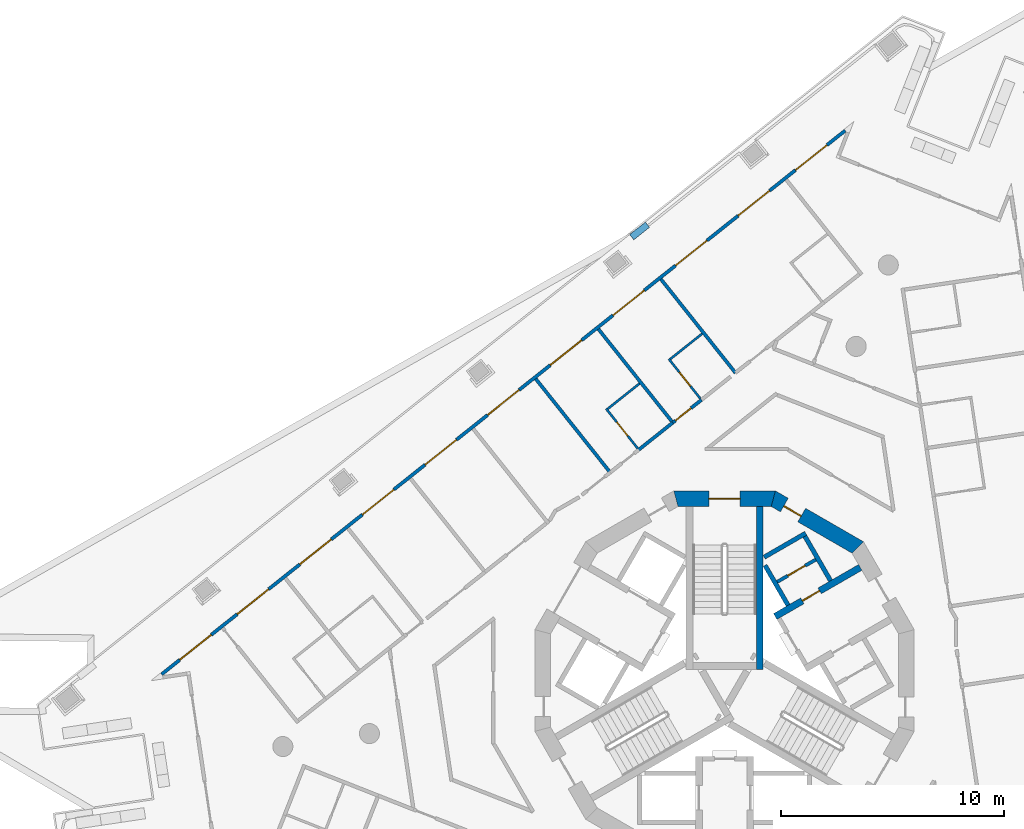
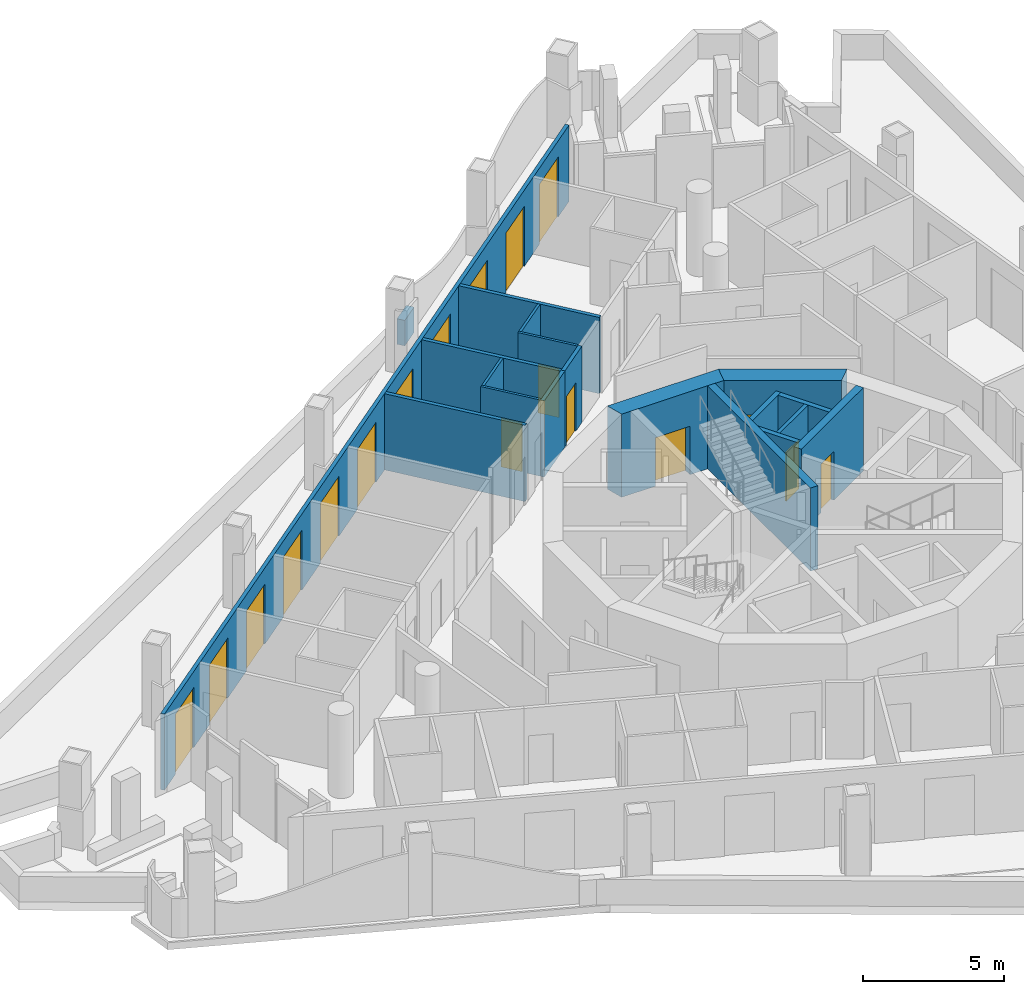
# One storey, part 7 of 16: 19 walls, 18 doors, 18 openings.
"""IFC4 building model written with IfcOpenShell, lengths in metres."""

from ifc_helpers import new_model, si_unit, direction, frame, frame_2d, origin, place, context, subcontext, project, spatial, polyline, rectangle, outline, extrude, material, layer, layer_set, type_object, element, fill, save


model = new_model("IFC4")

# Units and contexts
model_context = context("Model", 3, precision=1e-05, world=origin(), true_north=direction((0.0, 1.0)))
body_context = subcontext(model_context, "Body", "Model", "MODEL_VIEW")
ifc_project = project(units=[si_unit("LENGTHUNIT", "METRE"), si_unit("AREAUNIT", "SQUARE_METRE"), si_unit("VOLUMEUNIT", "CUBIC_METRE"), si_unit("PLANEANGLEUNIT", "RADIAN"), si_unit("MASSUNIT", "GRAM", prefix="KILO")], contexts=[model_context])

# Site, building, storey
site_placement = place(None, origin())
site = spatial("IfcSite", under=ifc_project, at=site_placement, CompositionType="ELEMENT")
building_placement = place(site_placement, origin())
building = spatial("IfcBuilding", under=site, at=building_placement, Name="Trine Commons Tower", CompositionType="ELEMENT")
storey_placement = place(building_placement, frame((0.0, 0.0, 198.0)))
storey = spatial("IfcBuildingStorey", under=building, at=storey_placement, Name="L51", CompositionType="ELEMENT", Elevation=198.0)

# Wall, opening, door
ifc_material_1 = material(Name="Plasterboard partition on steel studs", Category="steel")
ifc_layer_1 = layer(ifc_material_1, 0.14990234375)
ifc_layer_set_1 = layer_set([ifc_layer_1], Name="Plasterboard partition on steel studs")
wall_type_1 = type_object("IfcWallType", Name="Core room partition 150 mm, EI 60", PredefinedType="PARTITIONING", material=ifc_layer_set_1)
wall_1_placement = place(storey_placement, frame((82.35498046875, 66.919921875, 0.0), z_axis=(0.0, 0.0, 1.0), x_axis=(0.866010750942, 0.50002537861, 0.0)))
wall_1 = element("IfcWall", 1, at=wall_1_placement, inside=storey, type_object=wall_type_1, Name="Core room partition L51", PredefinedType="PARTITIONING", context=body_context, shape_type="SweptSolid", body=[
    extrude(rectangle(XDim=2.0, YDim=0.14990234375, at=frame_2d((1.0, 0.0))), origin(), (0.0, 0.0, 1.0), 3.300048828125),
])
opening_1_placement = place(wall_1_placement, frame((0.550537109375, 0.0, 0.0)))
opening_1 = element("IfcOpeningElement", 2, at=opening_1_placement, cuts=wall_1, Name="Opening K15.11", PredefinedType="OPENING", context=body_context, shape_type="SweptSolid", body=[
    extrude(rectangle(XDim=0.89990234375, YDim=2.10009765625, at=frame_2d((0.449951171875, 1.050048828125))), frame((0.0, 0.0849609375, 0.0), z_axis=(0.0, -1.0, 0.0), x_axis=(1.0, 0.0, 0.0)), (0.0, 0.0, 1.0), 0.169921875),
])
ifc_material_2 = material(Name="Steel door leaf, fire-rated", Category="steel")
door_type_1 = type_object("IfcDoorType", Name="Core room door, single leaf 900 x 2100, FD30S", OperationType="SINGLE_SWING_LEFT", PredefinedType="DOOR", material=ifc_material_2)
door_1_placement = place(opening_1_placement, origin())
door_1 = element("IfcDoor", 3, at=door_1_placement, inside=storey, type_object=door_type_1, Name="Door to Pantry L51", OperationType="SINGLE_SWING_RIGHT", OverallHeight=2.10009765625, OverallWidth=0.89990234375, PredefinedType="DOOR", context=body_context, shape_type="SweptSolid", body=[
    extrude(rectangle(XDim=0.89990234375, YDim=2.10009765625, at=frame_2d((0.449951171875, 1.050048828125))), frame((0.0, 0.02490234375, 0.0), z_axis=(0.0, -1.0, 0.0), x_axis=(1.0, 0.0, 0.0)), (0.0, 0.0, 1.0), 0.050048828125),
])
fill(opening_1, door_1)

# Wall, openings, doors
ifc_material_3 = material(Name="Aluminium-framed insulated wall panel", Category="aluminium")
ifc_layer_2 = layer(ifc_material_3, 0.14990234375)
ifc_layer_set_2 = layer_set([ifc_layer_2], Name="Aluminium-framed insulated wall panel")
wall_type_2 = type_object("IfcWallType", Name="Glazed frame wall 150, EI 60", PredefinedType="SOLIDWALL", material=ifc_layer_set_2)
wall_2_placement = place(storey_placement, frame((54.650634765625, 62.685546875, 0.0), z_axis=(0.0, 0.0, 1.0), x_axis=(0.782609620341, 0.622512796776, 0.0)))
wall_2 = element("IfcWall", 4, at=wall_2_placement, inside=storey, type_object=wall_type_2, Name="Glazed frame wall F1", PredefinedType="SOLIDWALL", context=body_context, shape_type="SweptSolid", body=[
    extrude(outline(polyline([(0.1494140625, 0.074951171875), (0.1494140625, -0.074951171875), (39.296875, -0.074951171875), (39.296875, 0.074951171875), (0.1494140625, 0.074951171875)])), origin(), (0.0, 0.0, 1.0), 3.300048828125),
])
opening_2_placement = place(wall_2_placement, frame((1.193115234375, 0.0, 0.0)))
opening_2 = element("IfcOpeningElement", 5, at=opening_2_placement, cuts=wall_2, Name="Opening BD-6F1-01", PredefinedType="OPENING", context=body_context, shape_type="SweptSolid", body=[
    extrude(rectangle(XDim=1.800048828125, YDim=2.60009765625, at=frame_2d((0.89990234375, 1.300048828125))), frame((0.0, 0.0849609375, 0.0), z_axis=(0.0, -1.0, 0.0), x_axis=(1.0, 0.0, 0.0)), (0.0, 0.0, 1.0), 0.169921875),
])
opening_3_placement = place(wall_2_placement, frame((4.47900390625, 0.0, 0.0)))
opening_3 = element("IfcOpeningElement", 6, at=opening_3_placement, cuts=wall_2, Name="Opening BD-6F1-02", PredefinedType="OPENING", context=body_context, shape_type="SweptSolid", body=[
    extrude(rectangle(XDim=1.800048828125, YDim=2.60009765625, at=frame_2d((0.89990234375, 1.300048828125))), frame((0.0, 0.0849609375, 0.0), z_axis=(0.0, -1.0, 0.0), x_axis=(1.0, 0.0, 0.0)), (0.0, 0.0, 1.0), 0.169921875),
])
opening_4_placement = place(wall_2_placement, frame((8.06494140625, 0.0, 0.0)))
opening_4 = element("IfcOpeningElement", 7, at=opening_4_placement, cuts=wall_2, Name="Opening BD-6F1-03", PredefinedType="OPENING", context=body_context, shape_type="SweptSolid", body=[
    extrude(rectangle(XDim=1.800048828125, YDim=2.60009765625, at=frame_2d((0.89990234375, 1.300048828125))), frame((0.0, 0.0849609375, 0.0), z_axis=(0.0, -1.0, 0.0), x_axis=(1.0, 0.0, 0.0)), (0.0, 0.0, 1.0), 0.169921875),
])
opening_5_placement = place(wall_2_placement, frame((11.65087890625, 0.0, 0.0)))
opening_5 = element("IfcOpeningElement", 8, at=opening_5_placement, cuts=wall_2, Name="Opening BD-6F1-04", PredefinedType="OPENING", context=body_context, shape_type="SweptSolid", body=[
    extrude(rectangle(XDim=1.800048828125, YDim=2.60009765625, at=frame_2d((0.89990234375, 1.300048828125))), frame((0.0, 0.0849609375, 0.0), z_axis=(0.0, -1.0, 0.0), x_axis=(1.0, 0.0, 0.0)), (0.0, 0.0, 1.0), 0.169921875),
])
opening_6_placement = place(wall_2_placement, frame((15.237060546875, 0.0, 0.0)))
opening_6 = element("IfcOpeningElement", 9, at=opening_6_placement, cuts=wall_2, Name="Opening BD-6F1-05", PredefinedType="OPENING", context=body_context, shape_type="SweptSolid", body=[
    extrude(rectangle(XDim=1.800048828125, YDim=2.60009765625, at=frame_2d((0.89990234375, 1.300048828125))), frame((0.0, 0.0849609375, 0.0), z_axis=(0.0, -1.0, 0.0), x_axis=(1.0, 0.0, 0.0)), (0.0, 0.0, 1.0), 0.169921875),
])
opening_7_placement = place(wall_2_placement, frame((18.822998046875, 0.0, 0.0)))
opening_7 = element("IfcOpeningElement", 10, at=opening_7_placement, cuts=wall_2, Name="Opening BD-6F1-06", PredefinedType="OPENING", context=body_context, shape_type="SweptSolid", body=[
    extrude(rectangle(XDim=1.800048828125, YDim=2.60009765625, at=frame_2d((0.89990234375, 1.300048828125))), frame((0.0, 0.0849609375, 0.0), z_axis=(0.0, -1.0, 0.0), x_axis=(1.0, 0.0, 0.0)), (0.0, 0.0, 1.0), 0.169921875),
])
opening_8_placement = place(wall_2_placement, frame((22.408935546875, 0.0, 0.0)))
opening_8 = element("IfcOpeningElement", 11, at=opening_8_placement, cuts=wall_2, Name="Opening BD-6F1-07", PredefinedType="OPENING", context=body_context, shape_type="SweptSolid", body=[
    extrude(rectangle(XDim=1.800048828125, YDim=2.60009765625, at=frame_2d((0.89990234375, 1.300048828125))), frame((0.0, 0.0849609375, 0.0), z_axis=(0.0, -1.0, 0.0), x_axis=(1.0, 0.0, 0.0)), (0.0, 0.0, 1.0), 0.169921875),
])
opening_9_placement = place(wall_2_placement, frame((25.9951171875, 0.0, 0.0)))
opening_9 = element("IfcOpeningElement", 12, at=opening_9_placement, cuts=wall_2, Name="Opening BD-6F1-08", PredefinedType="OPENING", context=body_context, shape_type="SweptSolid", body=[
    extrude(rectangle(XDim=1.800048828125, YDim=2.60009765625, at=frame_2d((0.89990234375, 1.300048828125))), frame((0.0, 0.0849609375, 0.0), z_axis=(0.0, -1.0, 0.0), x_axis=(1.0, 0.0, 0.0)), (0.0, 0.0, 1.0), 0.169921875),
])
opening_10_placement = place(wall_2_placement, frame((29.5810546875, 0.0, 0.0)))
opening_10 = element("IfcOpeningElement", 13, at=opening_10_placement, cuts=wall_2, Name="Opening BD-6F1-09", PredefinedType="OPENING", context=body_context, shape_type="SweptSolid", body=[
    extrude(rectangle(XDim=1.800048828125, YDim=2.60009765625, at=frame_2d((0.89990234375, 1.300048828125))), frame((0.0, 0.0849609375, 0.0), z_axis=(0.0, -1.0, 0.0), x_axis=(1.0, 0.0, 0.0)), (0.0, 0.0, 1.0), 0.169921875),
])
opening_11_placement = place(wall_2_placement, frame((33.1669921875, 0.0, 0.0)))
opening_11 = element("IfcOpeningElement", 14, at=opening_11_placement, cuts=wall_2, Name="Opening BD-6F1-10", PredefinedType="OPENING", context=body_context, shape_type="SweptSolid", body=[
    extrude(rectangle(XDim=1.800048828125, YDim=2.60009765625, at=frame_2d((0.89990234375, 1.300048828125))), frame((0.0, 0.0849609375, 0.0), z_axis=(0.0, -1.0, 0.0), x_axis=(1.0, 0.0, 0.0)), (0.0, 0.0, 1.0), 0.169921875),
])
opening_12_placement = place(wall_2_placement, frame((36.452880859375, 0.0, 0.0)))
opening_12 = element("IfcOpeningElement", 15, at=opening_12_placement, cuts=wall_2, Name="Opening BD-6F1-11", PredefinedType="OPENING", context=body_context, shape_type="SweptSolid", body=[
    extrude(rectangle(XDim=1.800048828125, YDim=2.60009765625, at=frame_2d((0.89990234375, 1.300048828125))), frame((0.0, 0.0849609375, 0.0), z_axis=(0.0, -1.0, 0.0), x_axis=(1.0, 0.0, 0.0)), (0.0, 0.0, 1.0), 0.169921875),
])
ifc_material_4 = material(Name="Anodised aluminium frame with double glazing", Category="aluminium")
door_type_2 = type_object("IfcDoorType", Name="Sliding loggia door 1800x2600", OperationType="SLIDING_TO_LEFT", PredefinedType="DOOR", material=ifc_material_4)
door_2_placement = place(opening_2_placement, origin())
door_2 = element("IfcDoor", 16, at=door_2_placement, inside=storey, type_object=door_type_2, Name="Loggia door F1 1", OperationType="SLIDING_TO_LEFT", OverallHeight=2.60009765625, OverallWidth=1.800048828125, PredefinedType="DOOR", context=body_context, shape_type="SweptSolid", body=[
    extrude(rectangle(XDim=1.800048828125, YDim=2.60009765625, at=frame_2d((0.89990234375, 1.300048828125))), frame((0.0, 0.02490234375, 0.0), z_axis=(0.0, -1.0, 0.0), x_axis=(1.0, 0.0, 0.0)), (0.0, 0.0, 1.0), 0.050048828125),
])
fill(opening_2, door_2)
door_3_placement = place(opening_3_placement, origin())
door_3 = element("IfcDoor", 17, at=door_3_placement, inside=storey, type_object=door_type_2, Name="Loggia door F1 2", OperationType="SLIDING_TO_LEFT", OverallHeight=2.60009765625, OverallWidth=1.800048828125, PredefinedType="DOOR", context=body_context, shape_type="SweptSolid", body=[
    extrude(rectangle(XDim=1.800048828125, YDim=2.60009765625, at=frame_2d((0.89990234375, 1.300048828125))), frame((0.0, 0.02490234375, 0.0), z_axis=(0.0, -1.0, 0.0), x_axis=(1.0, 0.0, 0.0)), (0.0, 0.0, 1.0), 0.050048828125),
])
fill(opening_3, door_3)
door_4_placement = place(opening_4_placement, origin())
door_4 = element("IfcDoor", 18, at=door_4_placement, inside=storey, type_object=door_type_2, Name="Loggia door F1 3", OperationType="SLIDING_TO_LEFT", OverallHeight=2.60009765625, OverallWidth=1.800048828125, PredefinedType="DOOR", context=body_context, shape_type="SweptSolid", body=[
    extrude(rectangle(XDim=1.800048828125, YDim=2.60009765625, at=frame_2d((0.89990234375, 1.300048828125))), frame((0.0, 0.02490234375, 0.0), z_axis=(0.0, -1.0, 0.0), x_axis=(1.0, 0.0, 0.0)), (0.0, 0.0, 1.0), 0.050048828125),
])
fill(opening_4, door_4)
door_5_placement = place(opening_5_placement, origin())
door_5 = element("IfcDoor", 19, at=door_5_placement, inside=storey, type_object=door_type_2, Name="Loggia door F1 4", OperationType="SLIDING_TO_LEFT", OverallHeight=2.60009765625, OverallWidth=1.800048828125, PredefinedType="DOOR", context=body_context, shape_type="SweptSolid", body=[
    extrude(rectangle(XDim=1.800048828125, YDim=2.60009765625, at=frame_2d((0.89990234375, 1.300048828125))), frame((0.0, 0.02490234375, 0.0), z_axis=(0.0, -1.0, 0.0), x_axis=(1.0, 0.0, 0.0)), (0.0, 0.0, 1.0), 0.050048828125),
])
fill(opening_5, door_5)
door_6_placement = place(opening_6_placement, origin())
door_6 = element("IfcDoor", 20, at=door_6_placement, inside=storey, type_object=door_type_2, Name="Loggia door F1 5", OperationType="SLIDING_TO_LEFT", OverallHeight=2.60009765625, OverallWidth=1.800048828125, PredefinedType="DOOR", context=body_context, shape_type="SweptSolid", body=[
    extrude(rectangle(XDim=1.800048828125, YDim=2.60009765625, at=frame_2d((0.89990234375, 1.300048828125))), frame((0.0, 0.02490234375, 0.0), z_axis=(0.0, -1.0, 0.0), x_axis=(1.0, 0.0, 0.0)), (0.0, 0.0, 1.0), 0.050048828125),
])
fill(opening_6, door_6)
door_7_placement = place(opening_7_placement, origin())
door_7 = element("IfcDoor", 21, at=door_7_placement, inside=storey, type_object=door_type_2, Name="Loggia door F1 6", OperationType="SLIDING_TO_LEFT", OverallHeight=2.60009765625, OverallWidth=1.800048828125, PredefinedType="DOOR", context=body_context, shape_type="SweptSolid", body=[
    extrude(rectangle(XDim=1.800048828125, YDim=2.60009765625, at=frame_2d((0.89990234375, 1.300048828125))), frame((0.0, 0.02490234375, 0.0), z_axis=(0.0, -1.0, 0.0), x_axis=(1.0, 0.0, 0.0)), (0.0, 0.0, 1.0), 0.050048828125),
])
fill(opening_7, door_7)
door_8_placement = place(opening_8_placement, origin())
door_8 = element("IfcDoor", 22, at=door_8_placement, inside=storey, type_object=door_type_2, Name="Loggia door F1 7", OperationType="SLIDING_TO_LEFT", OverallHeight=2.60009765625, OverallWidth=1.800048828125, PredefinedType="DOOR", context=body_context, shape_type="SweptSolid", body=[
    extrude(rectangle(XDim=1.800048828125, YDim=2.60009765625, at=frame_2d((0.89990234375, 1.300048828125))), frame((0.0, 0.02490234375, 0.0), z_axis=(0.0, -1.0, 0.0), x_axis=(1.0, 0.0, 0.0)), (0.0, 0.0, 1.0), 0.050048828125),
])
fill(opening_8, door_8)
door_9_placement = place(opening_9_placement, origin())
door_9 = element("IfcDoor", 23, at=door_9_placement, inside=storey, type_object=door_type_2, Name="Loggia door F1 8", OperationType="SLIDING_TO_LEFT", OverallHeight=2.60009765625, OverallWidth=1.800048828125, PredefinedType="DOOR", context=body_context, shape_type="SweptSolid", body=[
    extrude(rectangle(XDim=1.800048828125, YDim=2.60009765625, at=frame_2d((0.89990234375, 1.300048828125))), frame((0.0, 0.02490234375, 0.0), z_axis=(0.0, -1.0, 0.0), x_axis=(1.0, 0.0, 0.0)), (0.0, 0.0, 1.0), 0.050048828125),
])
fill(opening_9, door_9)
door_10_placement = place(opening_10_placement, origin())
door_10 = element("IfcDoor", 24, at=door_10_placement, inside=storey, type_object=door_type_2, Name="Loggia door F1 9", OperationType="SLIDING_TO_LEFT", OverallHeight=2.60009765625, OverallWidth=1.800048828125, PredefinedType="DOOR", context=body_context, shape_type="SweptSolid", body=[
    extrude(rectangle(XDim=1.800048828125, YDim=2.60009765625, at=frame_2d((0.89990234375, 1.300048828125))), frame((0.0, 0.02490234375, 0.0), z_axis=(0.0, -1.0, 0.0), x_axis=(1.0, 0.0, 0.0)), (0.0, 0.0, 1.0), 0.050048828125),
])
fill(opening_10, door_10)
door_11_placement = place(opening_11_placement, origin())
door_11 = element("IfcDoor", 25, at=door_11_placement, inside=storey, type_object=door_type_2, Name="Loggia door F1 10", OperationType="SLIDING_TO_LEFT", OverallHeight=2.60009765625, OverallWidth=1.800048828125, PredefinedType="DOOR", context=body_context, shape_type="SweptSolid", body=[
    extrude(rectangle(XDim=1.800048828125, YDim=2.60009765625, at=frame_2d((0.89990234375, 1.300048828125))), frame((0.0, 0.02490234375, 0.0), z_axis=(0.0, -1.0, 0.0), x_axis=(1.0, 0.0, 0.0)), (0.0, 0.0, 1.0), 0.050048828125),
])
fill(opening_11, door_11)
door_12_placement = place(opening_12_placement, origin())
door_12 = element("IfcDoor", 26, at=door_12_placement, inside=storey, type_object=door_type_2, Name="Loggia door F1 11", OperationType="SLIDING_TO_LEFT", OverallHeight=2.60009765625, OverallWidth=1.800048828125, PredefinedType="DOOR", context=body_context, shape_type="SweptSolid", body=[
    extrude(rectangle(XDim=1.800048828125, YDim=2.60009765625, at=frame_2d((0.89990234375, 1.300048828125))), frame((0.0, 0.02490234375, 0.0), z_axis=(0.0, -1.0, 0.0), x_axis=(1.0, 0.0, 0.0)), (0.0, 0.0, 1.0), 0.050048828125),
])
fill(opening_12, door_12)

# Wall, opening, door
ifc_material_5 = material(Name="Concrete C60/75", Category="concrete")
ifc_layer_3 = layer(ifc_material_5, 0.300048828125)
ifc_layer_set_3 = layer_set([ifc_layer_3], Name="Concrete C60/75")
wall_type_3 = type_object("IfcWallType", Name="RC shear wall 300 mm, C60/75", PredefinedType="SHEAR", material=ifc_layer_set_3)
wall_3_placement = place(storey_placement, frame((82.26904296875, 65.368896484375, 0.0), z_axis=(0.0, 0.0, 1.0), x_axis=(0.866035918664, 0.499981787252, 0.0)))
wall_3 = element("IfcWall", 27, at=wall_3_placement, inside=storey, type_object=wall_type_3, Name="Core cross wall SWC-05 L51", PredefinedType="SHEAR", context=body_context, shape_type="SweptSolid", body=[
    extrude(rectangle(XDim=4.400634765625, YDim=0.300048828125, at=frame_2d((2.2001953125, 0.0))), origin(), (0.0, 0.0, 1.0), 3.60009765625),
])
opening_13_placement = place(wall_3_placement, frame((1.400390625, 0.0, 0.0)))
opening_13 = element("IfcOpeningElement", 28, at=opening_13_placement, cuts=wall_3, Name="Opening K15.10", PredefinedType="OPENING", context=body_context, shape_type="SweptSolid", body=[
    extrude(rectangle(XDim=0.89990234375, YDim=2.10009765625, at=frame_2d((0.449951171875, 1.050048828125))), frame((0.0, 0.159912109375, 0.0), z_axis=(0.0, -1.0, 0.0), x_axis=(1.0, 0.0, 0.0)), (0.0, 0.0, 1.0), 0.320068359375),
])
door_13_placement = place(opening_13_placement, origin())
door_13 = element("IfcDoor", 29, at=door_13_placement, inside=storey, type_object=door_type_1, Name="Door to Linen store L51", OperationType="SINGLE_SWING_LEFT", OverallHeight=2.10009765625, OverallWidth=0.89990234375, PredefinedType="DOOR", context=body_context, shape_type="SweptSolid", body=[
    extrude(rectangle(XDim=0.89990234375, YDim=2.10009765625, at=frame_2d((0.449951171875, 1.050048828125))), frame((0.0, 0.02490234375, 0.0), z_axis=(0.0, -1.0, 0.0), x_axis=(1.0, 0.0, 0.0)), (0.0, 0.0, 1.0), 0.050048828125),
])
fill(opening_13, door_13)

# Wall
wall_4_placement = place(storey_placement, frame((81.574951171875, 63.0009765625, 0.0), z_axis=(0.0, 0.0, 1.0), x_axis=(0.0, 1.0, 0.0)))
element("IfcWall", 30, at=wall_4_placement, inside=storey, type_object=wall_type_3, Name="Core cross wall SWC-17 L51", PredefinedType="SHEAR", context=body_context, shape_type="SweptSolid", body=[
    extrude(rectangle(XDim=7.299072265625, YDim=0.300048828125, at=frame_2d((3.6494140625, 0.0))), origin(), (0.0, 0.0, 1.0), 3.60009765625),
])

# Wall, opening, door
ifc_layer_4 = layer(ifc_material_5, 0.699951171875)
ifc_layer_set_4 = layer_set([ifc_layer_4], Name="Concrete C60/75")
wall_type_4 = type_object("IfcWallType", Name="RC shear wall 700 mm, C60/75", PredefinedType="SHEAR", material=ifc_layer_set_4)
wall_5_placement = place(storey_placement, frame((86.047607421875, 68.41943359375, 0.0), z_axis=(0.0, 0.0, 1.0), x_axis=(-0.866034756103, 0.499983800959, 0.0)))
wall_5 = element("IfcWall", 31, at=wall_5_placement, inside=storey, type_object=wall_type_4, Name="Core wall CWF-03 L51", PredefinedType="SHEAR", context=body_context, shape_type="SweptSolid", body=[
    extrude(outline(polyline([(0.0, -0.35009765625), (4.55517578125, -0.35009765625), (4.36767578125, 0.35009765625), (0.1875, 0.35009765625), (0.0, -0.35009765625)])), origin(), (0.0, 0.0, 1.0), 3.60009765625),
])
opening_14_placement = place(wall_5_placement, frame((2.990966796875, 0.0, 0.0)))
opening_14 = element("IfcOpeningElement", 32, at=opening_14_placement, cuts=wall_5, Name="Opening K15.14", PredefinedType="OPENING", context=body_context, shape_type="SweptSolid", body=[
    extrude(rectangle(XDim=0.89990234375, YDim=2.10009765625, at=frame_2d((0.449951171875, 1.050048828125))), frame((0.0, 0.35986328125, 0.0), z_axis=(0.0, -1.0, 0.0), x_axis=(1.0, 0.0, 0.0)), (0.0, 0.0, 1.0), 0.719970703125),
])
door_14_placement = place(opening_14_placement, origin())
door_14 = element("IfcDoor", 33, at=door_14_placement, inside=storey, type_object=door_type_1, Name="Door to Core WC L51", OperationType="SINGLE_SWING_RIGHT", OverallHeight=2.10009765625, OverallWidth=0.89990234375, PredefinedType="DOOR", context=body_context, shape_type="SweptSolid", body=[
    extrude(rectangle(XDim=0.89990234375, YDim=2.10009765625, at=frame_2d((0.449951171875, 1.050048828125))), frame((0.0, 0.0751953125, 0.0), z_axis=(0.0, -1.0, 0.0), x_axis=(1.0, 0.0, 0.0)), (0.0, 0.0, 1.0), 0.050048828125),
])
fill(opening_14, door_14)

wall_6_placement = place(storey_placement, frame((82.277587890625, 70.650146484375, 0.0), z_axis=(0.0, 0.0, 1.0), x_axis=(-1.0, 0.0, 0.0)))
wall_6 = element("IfcWall", 34, at=wall_6_placement, inside=storey, type_object=wall_type_4, Name="Core wall CWF-04 L51", PredefinedType="SHEAR", context=body_context, shape_type="SweptSolid", body=[
    extrude(outline(polyline([(0.0, -0.35009765625), (4.55517578125, -0.35009765625), (4.36767578125, 0.35009765625), (0.1875, 0.35009765625), (0.0, -0.35009765625)])), origin(), (0.0, 0.0, 1.0), 3.60009765625),
])
opening_15_placement = place(wall_6_placement, frame((1.57763671875, 0.0, 0.0)))
opening_15 = element("IfcOpeningElement", 35, at=opening_15_placement, cuts=wall_6, Name="Opening K15.01", PredefinedType="OPENING", context=body_context, shape_type="SweptSolid", body=[
    extrude(rectangle(XDim=1.39990234375, YDim=2.10009765625, at=frame_2d((0.699951171875, 1.050048828125))), frame((0.0, 0.35986328125, 0.0), z_axis=(0.0, -1.0, 0.0), x_axis=(1.0, 0.0, 0.0)), (0.0, 0.0, 1.0), 0.719970703125),
])
ifc_material_6 = material(Name="Steel door leaves, fire-rated", Category="steel")
door_type_3 = type_object("IfcDoorType", Name="Stair door, double leaf 1400 x 2100, FD90", OperationType="DOUBLE_DOOR_SINGLE_SWING", PredefinedType="DOOR", material=ifc_material_6)
door_15_placement = place(opening_15_placement, origin())
door_15 = element("IfcDoor", 36, at=door_15_placement, inside=storey, type_object=door_type_3, Name="Stair door to Exit stair ST1C L51", OperationType="DOUBLE_DOOR_SINGLE_SWING", OverallHeight=2.10009765625, OverallWidth=1.39990234375, PredefinedType="DOOR", context=body_context, shape_type="SweptSolid", body=[
    extrude(rectangle(XDim=1.39990234375, YDim=2.10009765625, at=frame_2d((0.699951171875, 1.050048828125))), frame((0.0, 0.02490234375, 0.0), z_axis=(0.0, -1.0, 0.0), x_axis=(1.0, 0.0, 0.0)), (0.0, 0.0, 1.0), 0.050048828125),
])
fill(opening_15, door_15)

# Walls
ifc_material_7 = material(Name="Fire-rated gypsum shaft wall system")
ifc_layer_5 = layer(ifc_material_7, 0.199951171875)
ifc_layer_set_5 = layer_set([ifc_layer_5], Name="Fire-rated gypsum shaft wall system")
wall_type_5 = type_object("IfcWallType", Name="Shaft wall 200 mm, EI 120", PredefinedType="PARTITIONING", material=ifc_layer_set_5)
wall_7_placement = place(storey_placement, frame((81.77490234375, 68.028076171875, 0.0), z_axis=(0.0, 0.0, 1.0), x_axis=(0.866130725101, 0.499817533742, 0.0)))
element("IfcWall", 37, at=wall_7_placement, inside=storey, type_object=wall_type_5, Name="Shaft wall L51", PredefinedType="PARTITIONING", context=body_context, shape_type="SweptSolid", body=[
    extrude(rectangle(XDim=2.148681640625, YDim=0.199951171875, at=frame_2d((1.07421875, 0.0))), origin(), (0.0, 0.0, 1.0), 3.300048828125),
])
wall_8_placement = place(storey_placement, frame((82.843994140625, 65.8740234375, 0.0), z_axis=(0.0, 0.0, 1.0), x_axis=(-0.499865770674, 0.866102887253, 0.0)))
element("IfcWall", 38, at=wall_8_placement, inside=storey, type_object=wall_type_5, Name="Shaft wall L51", PredefinedType="PARTITIONING", context=body_context, shape_type="SweptSolid", body=[
    extrude(rectangle(XDim=2.064453125, YDim=0.199951171875, at=frame_2d((1.0322265625, 0.0))), origin(), (0.0, 0.0, 1.0), 3.300048828125),
])
wall_9_placement = place(storey_placement, frame((84.7490234375, 66.97412109375, 0.0), z_axis=(0.0, 0.0, 1.0), x_axis=(-0.500136062276, 0.86594683394, 0.0)))
element("IfcWall", 39, at=wall_9_placement, inside=storey, type_object=wall_type_5, Name="Shaft wall L51", PredefinedType="PARTITIONING", context=body_context, shape_type="SweptSolid", body=[
    extrude(rectangle(XDim=2.299072265625, YDim=0.199951171875, at=frame_2d((1.1494140625, 0.0))), origin(), (0.0, 0.0, 1.0), 3.300048828125),
])
ifc_material_8 = material(Name="Limestone, honed", Category="masonry")
ifc_layer_6 = layer(ifc_material_8, 0.300048828125)
ifc_layer_set_6 = layer_set([ifc_layer_6], Name="Limestone, honed")
wall_type_6 = type_object("IfcWallType", Name="Stone parapet 300", PredefinedType="PARAPET", material=ifc_layer_set_6)
wall_10_placement = place(storey_placement, origin())
element("IfcWall", 40, at=wall_10_placement, inside=storey, type_object=wall_type_6, Name="Sliver roof parapet extension L50 2.X1", PredefinedType="PARAPET", context=body_context, shape_type="SweptSolid", body=[
    extrude(outline(polyline([(75.744384765625, 82.486083984375), (75.931396484375, 82.25146484375), (76.635498046875, 82.811767578125), (76.448974609375, 83.04638671875), (76.205322265625, 82.852783203125), (75.744384765625, 82.486083984375)])), origin(), (0.0, 0.0, 1.0), 1.10009765625),
])
ifc_material_9 = material(Name="Gypsum plasterboard on steel stud", Category="steel")
ifc_layer_7 = layer(ifc_material_9, 0.14990234375)
ifc_layer_set_7 = layer_set([ifc_layer_7], Name="Gypsum plasterboard on steel stud")
wall_type_7 = type_object("IfcWallType", Name="Unit and corridor wall 150 mm, EI 60", PredefinedType="PARTITIONING", material=ifc_layer_set_7)
wall_11_placement = place(storey_placement, frame((71.535888671875, 76.020751953125, 0.0), z_axis=(0.0, 0.0, 1.0), x_axis=(0.622565407695, -0.782567769041, 0.0)))
element("IfcWall", 41, at=wall_11_placement, inside=storey, type_object=wall_type_7, Name="Partition 036", PredefinedType="PARTITIONING", context=body_context, shape_type="SweptSolid", body=[
    extrude(rectangle(XDim=5.3603515625, YDim=0.14990234375, at=frame_2d((2.68017578125, 0.0))), origin(), (0.0, 0.0, 1.0), 3.300048828125),
])
wall_12_placement = place(storey_placement, frame((74.343017578125, 78.252685546875, 0.0), z_axis=(0.0, 0.0, 1.0), x_axis=(0.622444463897, -0.782663969634, 0.0)))
element("IfcWall", 42, at=wall_12_placement, inside=storey, type_object=wall_type_7, Name="Partition 042", PredefinedType="PARTITIONING", context=body_context, shape_type="SweptSolid", body=[
    extrude(rectangle(XDim=5.284423828125, YDim=0.14990234375, at=frame_2d((2.64208984375, 0.0))), origin(), (0.0, 0.0, 1.0), 3.300048828125),
])
wall_13_placement = place(storey_placement, frame((76.11083984375, 72.810791015625, 0.0), z_axis=(0.0, 0.0, 1.0), x_axis=(0.782704744495, 0.622393189989, 0.0)))
element("IfcWall", 43, at=wall_13_placement, inside=storey, type_object=wall_type_7, Name="Partition 048", PredefinedType="PARTITIONING", context=body_context, shape_type="SweptSolid", body=[
    extrude(rectangle(XDim=2.007080078125, YDim=0.14990234375, at=frame_2d((1.00341796875, 0.0))), origin(), (0.0, 0.0, 1.0), 3.300048828125),
])
wall_14_placement = place(storey_placement, frame((77.14892578125, 80.485595703125, 0.0), z_axis=(0.0, 0.0, 1.0), x_axis=(0.622587598128, -0.782550115109, 0.0)))
element("IfcWall", 44, at=wall_14_placement, inside=storey, type_object=wall_type_7, Name="Partition 049", PredefinedType="PARTITIONING", context=body_context, shape_type="SweptSolid", body=[
    extrude(rectangle(XDim=5.360107421875, YDim=0.14990234375, at=frame_2d((2.68017578125, 0.0))), origin(), (0.0, 0.0, 1.0), 3.300048828125),
])

# Wall, opening, door
wall_15_placement = place(storey_placement, frame((77.676025390625, 74.055908203125, 0.0), z_axis=(0.0, 0.0, 1.0), x_axis=(0.782734219596, 0.622356121102, 0.0)))
wall_15 = element("IfcWall", 45, at=wall_15_placement, inside=storey, type_object=wall_type_7, Name="Partition 053", PredefinedType="PARTITIONING", context=body_context, shape_type="SweptSolid", body=[
    extrude(rectangle(XDim=1.64404296875, YDim=0.14990234375, at=frame_2d((0.822021484375, 0.0))), origin(), (0.0, 0.0, 1.0), 3.300048828125),
])
opening_16_placement = place(wall_15_placement, frame((0.153564453125, 0.0, 0.0)))
opening_16 = element("IfcOpeningElement", 46, at=opening_16_placement, cuts=wall_15, Name="Opening D-6A11", PredefinedType="OPENING", context=body_context, shape_type="SweptSolid", body=[
    extrude(rectangle(XDim=0.89990234375, YDim=2.10009765625, at=frame_2d((0.449951171875, 1.050048828125))), frame((0.0, 0.0849609375, 0.0), z_axis=(0.0, -1.0, 0.0), x_axis=(1.0, 0.0, 0.0)), (0.0, 0.0, 1.0), 0.169921875),
])
ifc_material_10 = material(Name="Timber fire door set", Category="wood")
door_type_4 = type_object("IfcDoorType", Name="Bedroom door 900 x 2100, FD30S", OperationType="NOTDEFINED", PredefinedType="DOOR", material=ifc_material_10)
door_16_placement = place(opening_16_placement, origin())
door_16 = element("IfcDoor", 47, at=door_16_placement, inside=storey, type_object=door_type_4, Name="Door D-6A11", OperationType="SINGLE_SWING_LEFT", OverallHeight=2.10009765625, OverallWidth=0.89990234375, PredefinedType="DOOR", context=body_context, shape_type="SweptSolid", body=[
    extrude(rectangle(XDim=0.89990234375, YDim=2.10009765625, at=frame_2d((0.449951171875, 1.050048828125))), frame((0.0, 0.02490234375, 0.0), z_axis=(0.0, -1.0, 0.0), x_axis=(1.0, 0.0, 0.0)), (0.0, 0.0, 1.0), 0.050048828125),
])
fill(opening_16, door_16)

ifc_layer_8 = layer(ifc_material_9, 0.10009765625)
ifc_layer_set_8 = layer_set([ifc_layer_8], Name="Gypsum plasterboard on steel stud")
wall_type_8 = type_object("IfcWallType", Name="Unit partition 100 mm, no rating", PredefinedType="PARTITIONING", material=ifc_layer_set_8)
wall_16_placement = place(storey_placement, frame((74.68994140625, 74.68310546875, 0.0), z_axis=(0.0, 0.0, 1.0), x_axis=(0.622507134747, -0.782614124067, 0.0)))
wall_16 = element("IfcWall", 48, at=wall_16_placement, inside=storey, type_object=wall_type_8, Name="Partition 043", PredefinedType="PARTITIONING", context=body_context, shape_type="SweptSolid", body=[
    extrude(rectangle(XDim=2.275146484375, YDim=0.10009765625, at=frame_2d((1.1376953125, 0.0))), origin(), (0.0, 0.0, 1.0), 3.300048828125),
])
opening_17_placement = place(wall_16_placement, frame((0.7626953125, 0.0, 0.0)))
opening_17 = element("IfcOpeningElement", 49, at=opening_17_placement, cuts=wall_16, Name="Opening D-6A31", PredefinedType="OPENING", context=body_context, shape_type="SweptSolid", body=[
    extrude(rectangle(XDim=0.800048828125, YDim=2.10009765625, at=frame_2d((0.39990234375, 1.050048828125))), frame((0.0, 0.06005859375, 0.0), z_axis=(0.0, -1.0, 0.0), x_axis=(1.0, 0.0, 0.0)), (0.0, 0.0, 1.0), 0.1201171875),
])
ifc_material_11 = material(Name="Painted timber", Category="wood")
door_type_5 = type_object("IfcDoorType", Name="Internal door 800 x 2100, NOT RATED", OperationType="NOTDEFINED", PredefinedType="DOOR", material=ifc_material_11)
door_17_placement = place(opening_17_placement, frame((0.800048828125, 0.0, 0.0), z_axis=(0.0, 0.0, 1.0), x_axis=(-1.0, 0.0, 0.0)))
door_17 = element("IfcDoor", 50, at=door_17_placement, inside=storey, type_object=door_type_5, Name="Door D-6A31", OperationType="SINGLE_SWING_LEFT", OverallHeight=2.10009765625, OverallWidth=0.800048828125, PredefinedType="DOOR", context=body_context, shape_type="SweptSolid", body=[
    extrude(rectangle(XDim=0.800048828125, YDim=2.10009765625, at=frame_2d((0.39990234375, 1.050048828125))), frame((0.0, 0.02490234375, 0.0), z_axis=(0.0, -1.0, 0.0), x_axis=(1.0, 0.0, 0.0)), (0.0, 0.0, 1.0), 0.050048828125),
])
fill(opening_17, door_17)

# Wall
wall_17_placement = place(storey_placement, frame((74.760009765625, 74.675048828125, 0.0), z_axis=(0.0, 0.0, 1.0), x_axis=(0.782562542096, 0.622571977934, 0.0)))
element("IfcWall", 51, at=wall_17_placement, inside=storey, type_object=wall_type_8, Name="Partition 044", PredefinedType="PARTITIONING", context=body_context, shape_type="SweptSolid", body=[
    extrude(rectangle(XDim=1.824951171875, YDim=0.10009765625, at=frame_2d((0.91259765625, 0.0))), origin(), (0.0, 0.0, 1.0), 3.300048828125),
])

# Wall, opening, door
wall_18_placement = place(storey_placement, frame((77.496826171875, 76.916015625, 0.0), z_axis=(0.0, 0.0, 1.0), x_axis=(0.622625135388, -0.78252024944, 0.0)))
wall_18 = element("IfcWall", 52, at=wall_18_placement, inside=storey, type_object=wall_type_8, Name="Partition 051", PredefinedType="PARTITIONING", context=body_context, shape_type="SweptSolid", body=[
    extrude(rectangle(XDim=2.275146484375, YDim=0.10009765625, at=frame_2d((1.1376953125, 0.0))), origin(), (0.0, 0.0, 1.0), 3.300048828125),
])
opening_18_placement = place(wall_18_placement, frame((0.7626953125, 0.0, 0.0)))
opening_18 = element("IfcOpeningElement", 53, at=opening_18_placement, cuts=wall_18, Name="Opening D-6A32", PredefinedType="OPENING", context=body_context, shape_type="SweptSolid", body=[
    extrude(rectangle(XDim=0.800048828125, YDim=2.10009765625, at=frame_2d((0.39990234375, 1.050048828125))), frame((0.0, 0.06005859375, 0.0), z_axis=(0.0, -1.0, 0.0), x_axis=(1.0, 0.0, 0.0)), (0.0, 0.0, 1.0), 0.1201171875),
])
door_18_placement = place(opening_18_placement, frame((0.800048828125, 0.0, 0.0), z_axis=(0.0, 0.0, 1.0), x_axis=(-1.0, 0.0, 0.0)))
door_18 = element("IfcDoor", 54, at=door_18_placement, inside=storey, type_object=door_type_5, Name="Door D-6A32", OperationType="SINGLE_SWING_LEFT", OverallHeight=2.10009765625, OverallWidth=0.800048828125, PredefinedType="DOOR", context=body_context, shape_type="SweptSolid", body=[
    extrude(rectangle(XDim=0.800048828125, YDim=2.10009765625, at=frame_2d((0.39990234375, 1.050048828125))), frame((0.0, 0.02490234375, 0.0), z_axis=(0.0, -1.0, 0.0), x_axis=(1.0, 0.0, 0.0)), (0.0, 0.0, 1.0), 0.050048828125),
])
fill(opening_18, door_18)

# Wall
wall_19_placement = place(storey_placement, frame((77.567138671875, 76.908203125, 0.0), z_axis=(0.0, 0.0, 1.0), x_axis=(0.782627716851, 0.622490045557, 0.0)))
element("IfcWall", 55, at=wall_19_placement, inside=storey, type_object=wall_type_8, Name="Partition 052", PredefinedType="PARTITIONING", context=body_context, shape_type="SweptSolid", body=[
    extrude(rectangle(XDim=1.824951171875, YDim=0.10009765625, at=frame_2d((0.91259765625, 0.0))), origin(), (0.0, 0.0, 1.0), 3.300048828125),
])

save(model, "model.ifc")
